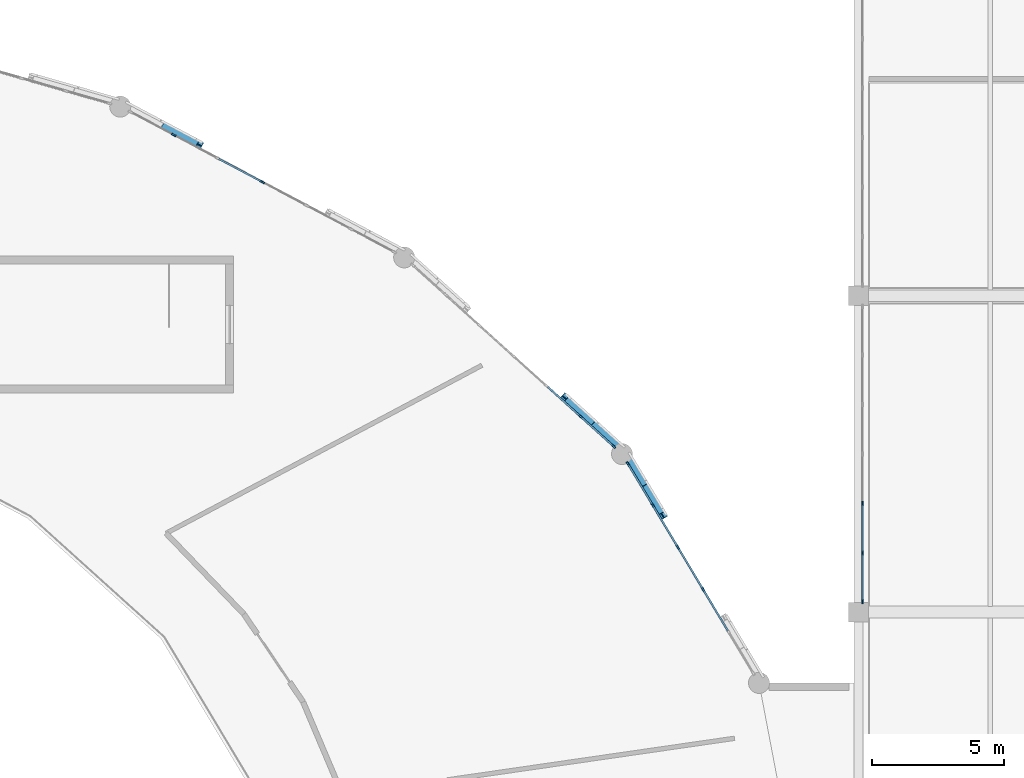
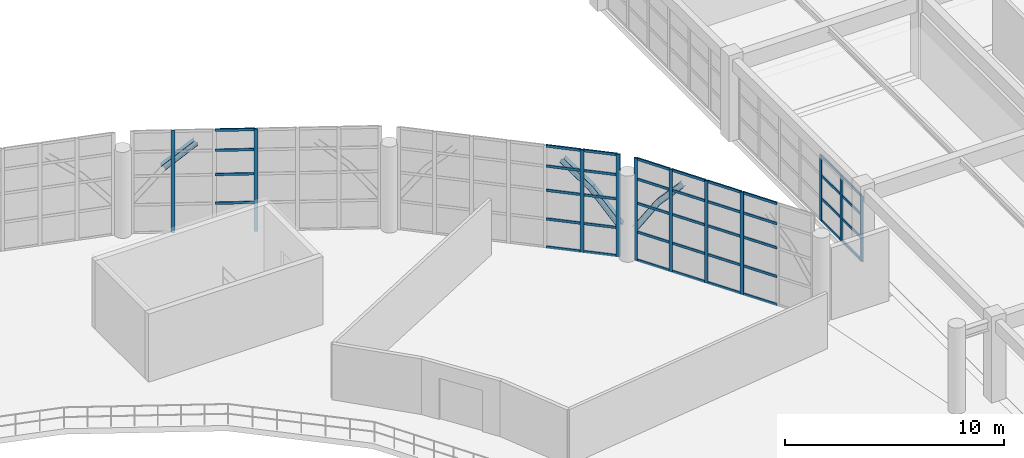
# One storey, part 45 of 109: 53 members, 5 beams, 4 elements without a shape of their own.
"""IFC4 building model written with IfcOpenShell, lengths in metres."""

from ifc_helpers import new_model, si_unit, direction, frame, origin, origin_2d, place, context, subcontext, project, spatial, rectangle, i_section, extrude, material, layer, layer_set, material_profile, profile_set, type_object, element, aggregate, save


model = new_model("IFC4")

# Units and contexts
model_context = context("Model", 3, precision=1e-05, world=origin(), true_north=direction((0.0, 1.0)))
body_context = subcontext(model_context, "Body", "Model", "MODEL_VIEW")
ifc_project = project(units=[si_unit("LENGTHUNIT", "METRE"), si_unit("AREAUNIT", "SQUARE_METRE"), si_unit("VOLUMEUNIT", "CUBIC_METRE"), si_unit("PLANEANGLEUNIT", "RADIAN"), si_unit("MASSUNIT", "GRAM", prefix="KILO")], contexts=[model_context])

# Site, building, storey
site_placement = place(None, origin())
site = spatial("IfcSite", under=ifc_project, at=site_placement, CompositionType="ELEMENT")
building_placement = place(site_placement, origin())
building = spatial("IfcBuilding", under=site, at=building_placement, Name="Kivolera Central Railway Station", CompositionType="ELEMENT")
storey_placement = place(building_placement, frame((0.0, 0.0, 9.60009765625)))
storey = spatial("IfcBuildingStorey", under=building, at=storey_placement, Name="L02", CompositionType="ELEMENT", Elevation=9.60009765625)

# Beams
ifc_material_1 = material(Name="Steel S355", Category="steel")
ifc_material_profile_1 = material_profile(ifc_material_1, i_section(OverallWidth=0.300048828125, OverallDepth=0.300048828125, WebThickness=0.010986328125, FlangeThickness=0.01904296875, FilletRadius=0.027099609375, at=origin_2d()), Name="HEB 300")
ifc_profile_set_1 = profile_set([ifc_material_profile_1], Name="Steel S355")
beam_type = type_object("IfcBeamType", Name="BM-LANT-ARCH", PredefinedType="SPANDREL", material=ifc_profile_set_1)
beam_1_placement = place(storey_placement, frame((110.573974609375, 105.657958984375, 4.9599609375), z_axis=(-0.343344267824, 0.573619875132, -0.743690091776), x_axis=(-0.858038634745, -0.513585145116, 0.0)))
element("IfcBeam", 1, at=beam_1_placement, inside=storey, type_object=beam_type, Name="Oval Lantern Structural Arch Rib 02.5", PredefinedType="SPANDREL", context=body_context, shape_type="SweptSolid", body=[
    extrude(i_section(OverallWidth=0.300048828125, OverallDepth=0.300048828125, WebThickness=0.010986328125, FlangeThickness=0.01904296875, FilletRadius=0.027099609375, at=origin_2d()), origin(), (0.0, 0.0, 1.0), 1.828857421875),
])
beam_2_placement = place(storey_placement, frame((109.946044921875, 106.70703125, 3.599853515625), z_axis=(-0.277874179709, 0.464672179987, -0.840753058512), x_axis=(-0.858249099835, -0.513233360794, 0.0)))
element("IfcBeam", 2, at=beam_2_placement, inside=storey, type_object=beam_type, Name="Oval Lantern Structural Arch Rib 02.6", PredefinedType="SPANDREL", context=body_context, shape_type="SweptSolid", body=[
    extrude(i_section(OverallWidth=0.300048828125, OverallDepth=0.300048828125, WebThickness=0.010986328125, FlangeThickness=0.01904296875, FilletRadius=0.027099609375, at=origin_2d()), origin(), (0.0, 0.0, 1.0), 2.259765625),
])
beam_3_placement = place(storey_placement, frame((108.85009765625, 108.326904296875, 1.699951171875), z_axis=(-0.431185404632, 0.388705114828, 0.814240431653), x_axis=(-0.669571929078, -0.742747219309, 0.0)))
element("IfcBeam", 3, at=beam_3_placement, inside=storey, type_object=beam_type, Name="Oval Lantern Structural Arch Rib 03.1", PredefinedType="SPANDREL", context=body_context, shape_type="SweptSolid", body=[
    extrude(i_section(OverallWidth=0.300048828125, OverallDepth=0.300048828125, WebThickness=0.010986328125, FlangeThickness=0.01904296875, FilletRadius=0.027099609375, at=origin_2d()), origin(), (0.0, 0.0, 1.0), 2.333251953125),
])
beam_4_placement = place(storey_placement, frame((107.843994140625, 109.23388671875, 3.599853515625), z_axis=(-0.52351035726, 0.473143471576, 0.708570505417), x_axis=(-0.670516775803, -0.741894368065, 0.0)))
element("IfcBeam", 4, at=beam_4_placement, inside=storey, type_object=beam_type, Name="Oval Lantern Structural Arch Rib 03.2", PredefinedType="SPANDREL", context=body_context, shape_type="SweptSolid", body=[
    extrude(i_section(OverallWidth=0.300048828125, OverallDepth=0.300048828125, WebThickness=0.010986328125, FlangeThickness=0.01904296875, FilletRadius=0.027099609375, at=origin_2d()), origin(), (0.0, 0.0, 1.0), 1.91943359375),
])
beam_5_placement = place(storey_placement, frame((93.007080078125, 119.716064453125, 4.9599609375), z_axis=(-0.65306159566, 0.346534813022, -0.673367786308), x_axis=(-0.468728824497, -0.883342113275, 0.0)))
element("IfcBeam", 5, at=beam_5_placement, inside=storey, type_object=beam_type, Name="Oval Lantern Structural Arch Rib 04.5", PredefinedType="SPANDREL", context=body_context, shape_type="SweptSolid", body=[
    extrude(i_section(OverallWidth=0.300048828125, OverallDepth=0.300048828125, WebThickness=0.010986328125, FlangeThickness=0.01904296875, FilletRadius=0.027099609375, at=origin_2d()), origin(), (0.0, 0.0, 1.0), 2.019775390625),
])

# Curtain wall, members
ifc_material_2 = material(Name="Anodised aluminium", Category="aluminium")
ifc_layer_1 = layer(ifc_material_2, 0.179931640625, Name="Anodised aluminium")
ifc_layer_set_1 = layer_set([ifc_layer_1], Name="Anodised aluminium")
curtain_wall_type_1 = type_object("IfcCurtainWallType", Name="CW-SYS-03", PredefinedType="NOTDEFINED", material=ifc_layer_set_1)
curtain_wall_1_placement = place(storey_placement, origin())
curtain_wall_1 = element("IfcCurtainWall", 6, at=curtain_wall_1_placement, inside=storey, type_object=curtain_wall_type_1, Name="L02 Curtain Wall CW-L02-OVL-01", PredefinedType="NOTDEFINED")
ifc_material_profile_2 = material_profile(ifc_material_2, rectangle(XDim=0.070068359375, YDim=0.179931640625, at=origin_2d()), Name="ALU MULL 70x180")
ifc_profile_set_2 = profile_set([ifc_material_profile_2], Name="Anodised aluminium")
member_type_1 = type_object("IfcMemberType", Name="CWM-MUL-1", PredefinedType="MULLION", material=ifc_profile_set_2)
member_1_placement = place(storey_placement, frame((109.255859375, 107.626953125, -0.005126953125), z_axis=(0.0, 0.0, 1.0), x_axis=(0.858117186396, 0.513453887327, 0.0)))
member_1 = element("IfcMember", 7, at=member_1_placement, type_object=member_type_1, Name="CW-03 mullion 1", PredefinedType="MULLION", context=body_context, shape_type="SweptSolid", body=[
    extrude(rectangle(XDim=0.070068359375, YDim=0.179931640625, at=origin_2d()), origin(), (0.0, 0.0, 1.0), 5.705078125),
])
member_2_placement = place(storey_placement, frame((110.195068359375, 106.0576171875, -0.005126953125), z_axis=(0.0, 0.0, 1.0), x_axis=(0.858117186396, 0.513453887327, 0.0)))
member_2 = element("IfcMember", 8, at=member_2_placement, type_object=member_type_1, Name="CW-03 mullion 2", PredefinedType="MULLION", context=body_context, shape_type="SweptSolid", body=[
    extrude(rectangle(XDim=0.070068359375, YDim=0.179931640625, at=origin_2d()), origin(), (0.0, 0.0, 1.0), 5.705078125),
])
member_3_placement = place(storey_placement, frame((111.152099609375, 104.458251953125, -0.005126953125), z_axis=(0.0, 0.0, 1.0), x_axis=(0.858117186396, 0.513453887327, 0.0)))
member_3 = element("IfcMember", 9, at=member_3_placement, type_object=member_type_1, Name="CW-03 mullion 3", PredefinedType="MULLION", context=body_context, shape_type="SweptSolid", body=[
    extrude(rectangle(XDim=0.070068359375, YDim=0.179931640625, at=origin_2d()), origin(), (0.0, 0.0, 1.0), 5.705078125),
])
member_4_placement = place(storey_placement, frame((112.10888671875, 102.85888671875, -0.005126953125), z_axis=(0.0, 0.0, 1.0), x_axis=(0.858117186396, 0.513453887327, 0.0)))
member_4 = element("IfcMember", 10, at=member_4_placement, type_object=member_type_1, Name="CW-03 mullion 4", PredefinedType="MULLION", context=body_context, shape_type="SweptSolid", body=[
    extrude(rectangle(XDim=0.070068359375, YDim=0.179931640625, at=origin_2d()), origin(), (0.0, 0.0, 1.0), 5.705078125),
])

ifc_layer_2 = layer(ifc_material_2, 0.179931640625, Name="Anodised aluminium")
ifc_layer_set_2 = layer_set([ifc_layer_2], Name="Anodised aluminium")
curtain_wall_type_2 = type_object("IfcCurtainWallType", Name="CW-SYS-06", PredefinedType="NOTDEFINED", material=ifc_layer_set_2)
curtain_wall_2_placement = place(storey_placement, origin())
curtain_wall_2 = element("IfcCurtainWall", 11, at=curtain_wall_2_placement, inside=storey, type_object=curtain_wall_type_2, Name="L02 Curtain Wall CW-L02-OVL-02", PredefinedType="NOTDEFINED")
member_5_placement = place(storey_placement, frame((107.457763671875, 109.42138671875, -0.005126953125), z_axis=(0.0, 0.0, 1.0), x_axis=(0.66992157428, 0.742431871833, 0.0)))
member_5 = element("IfcMember", 12, at=member_5_placement, type_object=member_type_1, Name="CW-06 mullion 6", PredefinedType="MULLION", context=body_context, shape_type="SweptSolid", body=[
    extrude(rectangle(XDim=0.070068359375, YDim=0.179931640625, at=origin_2d()), origin(), (0.0, 0.0, 1.0), 5.705078125),
])
member_6_placement = place(storey_placement, frame((108.7099609375, 108.29150390625, -0.005126953125), z_axis=(0.0, 0.0, 1.0), x_axis=(0.66992157428, 0.742431871833, 0.0)))
member_6 = element("IfcMember", 13, at=member_6_placement, type_object=member_type_1, Name="CW-06 mullion 7", PredefinedType="MULLION", context=body_context, shape_type="SweptSolid", body=[
    extrude(rectangle(XDim=0.070068359375, YDim=0.179931640625, at=origin_2d()), origin(), (0.0, 0.0, 1.0), 5.705078125),
])

ifc_layer_3 = layer(ifc_material_2, 0.179931640625, Name="Anodised aluminium")
ifc_layer_set_3 = layer_set([ifc_layer_3], Name="Anodised aluminium")
curtain_wall_type_3 = type_object("IfcCurtainWallType", Name="CW-SYS-09", PredefinedType="NOTDEFINED", material=ifc_layer_set_3)
curtain_wall_3_placement = place(storey_placement, origin())
curtain_wall_3 = element("IfcCurtainWall", 14, at=curtain_wall_3_placement, inside=storey, type_object=curtain_wall_type_3, Name="L02 Curtain Wall CW-L02-OVL-03", PredefinedType="NOTDEFINED")
member_7_placement = place(storey_placement, frame((92.0302734375, 120.09814453125, -0.005126953125), z_axis=(0.0, 0.0, 1.0), x_axis=(0.469052563023, 0.883170251493, 0.0)))
member_7 = element("IfcMember", 15, at=member_7_placement, type_object=member_type_1, Name="CW-09 mullion 2", PredefinedType="MULLION", context=body_context, shape_type="SweptSolid", body=[
    extrude(rectangle(XDim=0.070068359375, YDim=0.179931640625, at=origin_2d()), origin(), (0.0, 0.0, 1.0), 5.705078125),
])
member_8_placement = place(storey_placement, frame((95.385009765625, 118.31640625, -0.005126953125), z_axis=(0.0, 0.0, 1.0), x_axis=(0.469052563023, 0.883170251493, 0.0)))
member_8 = element("IfcMember", 16, at=member_8_placement, type_object=member_type_1, Name="CW-09 mullion 4", PredefinedType="MULLION", context=body_context, shape_type="SweptSolid", body=[
    extrude(rectangle(XDim=0.070068359375, YDim=0.179931640625, at=origin_2d()), origin(), (0.0, 0.0, 1.0), 5.705078125),
])

ifc_layer_4 = layer(ifc_material_2, 0.179931640625, Name="Anodised aluminium")
ifc_layer_set_4 = layer_set([ifc_layer_4], Name="Anodised aluminium")
curtain_wall_type_4 = type_object("IfcCurtainWallType", Name="CW-SYS-28", PredefinedType="NOTDEFINED", material=ifc_layer_set_4)
curtain_wall_4_placement = place(storey_placement, origin())
curtain_wall_4 = element("IfcCurtainWall", 17, at=curtain_wall_4_placement, inside=storey, type_object=curtain_wall_type_4, Name="L02 Curtain Wall CW-L02-WEST-J", PredefinedType="NOTDEFINED")
member_9_placement = place(storey_placement, frame((118.153076171875, 102.405029296875, -0.005126953125), z_axis=(0.0, 0.0, 1.0), x_axis=(-1.0, 0.0, 0.0)))
member_9 = element("IfcMember", 18, at=member_9_placement, type_object=member_type_1, Name="CW-28 mullion 1", PredefinedType="MULLION", context=body_context, shape_type="SweptSolid", body=[
    extrude(rectangle(XDim=0.070068359375, YDim=0.179931640625, at=origin_2d()), origin(), (0.0, 0.0, 1.0), 3.6630859375),
])
member_10_placement = place(storey_placement, frame((118.153076171875, 104.24658203125, -0.005126953125), z_axis=(0.0, 0.0, 1.0), x_axis=(-1.0, 0.0, 0.0)))
member_10 = element("IfcMember", 19, at=member_10_placement, type_object=member_type_1, Name="CW-28 mullion 2", PredefinedType="MULLION", context=body_context, shape_type="SweptSolid", body=[
    extrude(rectangle(XDim=0.070068359375, YDim=0.179931640625, at=origin_2d()), origin(), (0.0, 0.0, 1.0), 3.6630859375),
])
member_11_placement = place(storey_placement, frame((118.153076171875, 106.123291015625, -0.005126953125), z_axis=(0.0, 0.0, 1.0), x_axis=(-1.0, 0.0, 0.0)))
member_11 = element("IfcMember", 20, at=member_11_placement, type_object=member_type_1, Name="CW-28 mullion 3", PredefinedType="MULLION", context=body_context, shape_type="SweptSolid", body=[
    extrude(rectangle(XDim=0.070068359375, YDim=0.179931640625, at=origin_2d()), origin(), (0.0, 0.0, 1.0), 3.6630859375),
])

# Member
ifc_material_profile_3 = material_profile(ifc_material_2, rectangle(XDim=0.070068359375, YDim=0.139892578125, at=origin_2d()), Name="ALU TRAN 70x140")
ifc_profile_set_3 = profile_set([ifc_material_profile_3], Name="Anodised aluminium")
member_type_2 = type_object("IfcMemberType", Name="CWM-TRN-1", PredefinedType="USERDEFINED", material=ifc_profile_set_3)
member_12_placement = place(storey_placement, frame((109.27392578125, 107.596923828125, 0.034912109375), z_axis=(0.513454309114, -0.85811693402, 0.0), x_axis=(0.85811693402, 0.513454309114, 0.0)))
member_12 = element("IfcMember", 21, at=member_12_placement, type_object=member_type_2, Name="CW-03 transom 1.1", ObjectType="TRANSOM", PredefinedType="USERDEFINED", context=body_context, shape_type="SweptSolid", body=[
    extrude(rectangle(XDim=0.070068359375, YDim=0.139892578125, at=origin_2d()), origin(), (0.0, 0.0, 1.0), 1.7587890625),
])

member_13_placement = place(storey_placement, frame((109.27392578125, 107.596923828125, 1.599853515625), z_axis=(0.513454309114, -0.85811693402, 0.0), x_axis=(0.85811693402, 0.513454309114, 0.0)))
member_13 = element("IfcMember", 22, at=member_13_placement, type_object=member_type_2, Name="CW-03 transom 1.2", ObjectType="TRANSOM", PredefinedType="USERDEFINED", context=body_context, shape_type="SweptSolid", body=[
    extrude(rectangle(XDim=0.070068359375, YDim=0.139892578125, at=origin_2d()), origin(), (0.0, 0.0, 1.0), 1.7587890625),
])

member_14_placement = place(storey_placement, frame((109.27392578125, 107.596923828125, 3.199951171875), z_axis=(0.513454309114, -0.85811693402, 0.0), x_axis=(0.85811693402, 0.513454309114, 0.0)))
member_14 = element("IfcMember", 23, at=member_14_placement, type_object=member_type_2, Name="CW-03 transom 1.3", ObjectType="TRANSOM", PredefinedType="USERDEFINED", context=body_context, shape_type="SweptSolid", body=[
    extrude(rectangle(XDim=0.070068359375, YDim=0.139892578125, at=origin_2d()), origin(), (0.0, 0.0, 1.0), 1.7587890625),
])

member_15_placement = place(storey_placement, frame((109.27392578125, 107.596923828125, 4.5498046875), z_axis=(0.513454309114, -0.85811693402, 0.0), x_axis=(0.85811693402, 0.513454309114, 0.0)))
member_15 = element("IfcMember", 24, at=member_15_placement, type_object=member_type_2, Name="CW-03 transom 1.4", ObjectType="TRANSOM", PredefinedType="USERDEFINED", context=body_context, shape_type="SweptSolid", body=[
    extrude(rectangle(XDim=0.070068359375, YDim=0.139892578125, at=origin_2d()), origin(), (0.0, 0.0, 1.0), 1.7587890625),
])

member_16_placement = place(storey_placement, frame((109.27392578125, 107.596923828125, 5.664794921875), z_axis=(0.513454309114, -0.85811693402, 0.0), x_axis=(0.85811693402, 0.513454309114, 0.0)))
member_16 = element("IfcMember", 25, at=member_16_placement, type_object=member_type_2, Name="CW-03 transom 1.5", ObjectType="TRANSOM", PredefinedType="USERDEFINED", context=body_context, shape_type="SweptSolid", body=[
    extrude(rectangle(XDim=0.070068359375, YDim=0.139892578125, at=origin_2d()), origin(), (0.0, 0.0, 1.0), 1.7587890625),
])

member_17_placement = place(storey_placement, frame((110.212890625, 106.027587890625, 0.034912109375), z_axis=(0.513494690452, -0.858092770554, 0.0), x_axis=(0.858092770554, 0.513494690452, 0.0)))
member_17 = element("IfcMember", 26, at=member_17_placement, type_object=member_type_2, Name="CW-03 transom 2.1", ObjectType="TRANSOM", PredefinedType="USERDEFINED", context=body_context, shape_type="SweptSolid", body=[
    extrude(rectangle(XDim=0.070068359375, YDim=0.139892578125, at=origin_2d()), origin(), (0.0, 0.0, 1.0), 1.7939453125),
])

member_18_placement = place(storey_placement, frame((110.212890625, 106.027587890625, 1.599853515625), z_axis=(0.513494690452, -0.858092770554, 0.0), x_axis=(0.858092770554, 0.513494690452, 0.0)))
member_18 = element("IfcMember", 27, at=member_18_placement, type_object=member_type_2, Name="CW-03 transom 2.2", ObjectType="TRANSOM", PredefinedType="USERDEFINED", context=body_context, shape_type="SweptSolid", body=[
    extrude(rectangle(XDim=0.070068359375, YDim=0.139892578125, at=origin_2d()), origin(), (0.0, 0.0, 1.0), 1.7939453125),
])

member_19_placement = place(storey_placement, frame((110.212890625, 106.027587890625, 3.199951171875), z_axis=(0.513494690452, -0.858092770554, 0.0), x_axis=(0.858092770554, 0.513494690452, 0.0)))
member_19 = element("IfcMember", 28, at=member_19_placement, type_object=member_type_2, Name="CW-03 transom 2.3", ObjectType="TRANSOM", PredefinedType="USERDEFINED", context=body_context, shape_type="SweptSolid", body=[
    extrude(rectangle(XDim=0.070068359375, YDim=0.139892578125, at=origin_2d()), origin(), (0.0, 0.0, 1.0), 1.7939453125),
])

member_20_placement = place(storey_placement, frame((110.212890625, 106.027587890625, 4.5498046875), z_axis=(0.513494690452, -0.858092770554, 0.0), x_axis=(0.858092770554, 0.513494690452, 0.0)))
member_20 = element("IfcMember", 29, at=member_20_placement, type_object=member_type_2, Name="CW-03 transom 2.4", ObjectType="TRANSOM", PredefinedType="USERDEFINED", context=body_context, shape_type="SweptSolid", body=[
    extrude(rectangle(XDim=0.070068359375, YDim=0.139892578125, at=origin_2d()), origin(), (0.0, 0.0, 1.0), 1.7939453125),
])

member_21_placement = place(storey_placement, frame((110.212890625, 106.027587890625, 5.664794921875), z_axis=(0.513494690452, -0.858092770554, 0.0), x_axis=(0.858092770554, 0.513494690452, 0.0)))
member_21 = element("IfcMember", 30, at=member_21_placement, type_object=member_type_2, Name="CW-03 transom 2.5", ObjectType="TRANSOM", PredefinedType="USERDEFINED", context=body_context, shape_type="SweptSolid", body=[
    extrude(rectangle(XDim=0.070068359375, YDim=0.139892578125, at=origin_2d()), origin(), (0.0, 0.0, 1.0), 1.7939453125),
])

member_22_placement = place(storey_placement, frame((111.169921875, 104.42822265625, 0.034912109375), z_axis=(0.513494690452, -0.858092770554, 0.0), x_axis=(0.858092770554, 0.513494690452, 0.0)))
member_22 = element("IfcMember", 31, at=member_22_placement, type_object=member_type_2, Name="CW-03 transom 3.1", ObjectType="TRANSOM", PredefinedType="USERDEFINED", context=body_context, shape_type="SweptSolid", body=[
    extrude(rectangle(XDim=0.070068359375, YDim=0.139892578125, at=origin_2d()), origin(), (0.0, 0.0, 1.0), 1.7939453125),
])

member_23_placement = place(storey_placement, frame((111.169921875, 104.42822265625, 1.599853515625), z_axis=(0.513494690452, -0.858092770554, 0.0), x_axis=(0.858092770554, 0.513494690452, 0.0)))
member_23 = element("IfcMember", 32, at=member_23_placement, type_object=member_type_2, Name="CW-03 transom 3.2", ObjectType="TRANSOM", PredefinedType="USERDEFINED", context=body_context, shape_type="SweptSolid", body=[
    extrude(rectangle(XDim=0.070068359375, YDim=0.139892578125, at=origin_2d()), origin(), (0.0, 0.0, 1.0), 1.7939453125),
])

member_24_placement = place(storey_placement, frame((111.169921875, 104.42822265625, 3.199951171875), z_axis=(0.513494690452, -0.858092770554, 0.0), x_axis=(0.858092770554, 0.513494690452, 0.0)))
member_24 = element("IfcMember", 33, at=member_24_placement, type_object=member_type_2, Name="CW-03 transom 3.3", ObjectType="TRANSOM", PredefinedType="USERDEFINED", context=body_context, shape_type="SweptSolid", body=[
    extrude(rectangle(XDim=0.070068359375, YDim=0.139892578125, at=origin_2d()), origin(), (0.0, 0.0, 1.0), 1.7939453125),
])

member_25_placement = place(storey_placement, frame((111.169921875, 104.42822265625, 4.5498046875), z_axis=(0.513494690452, -0.858092770554, 0.0), x_axis=(0.858092770554, 0.513494690452, 0.0)))
member_25 = element("IfcMember", 34, at=member_25_placement, type_object=member_type_2, Name="CW-03 transom 3.4", ObjectType="TRANSOM", PredefinedType="USERDEFINED", context=body_context, shape_type="SweptSolid", body=[
    extrude(rectangle(XDim=0.070068359375, YDim=0.139892578125, at=origin_2d()), origin(), (0.0, 0.0, 1.0), 1.7939453125),
])

member_26_placement = place(storey_placement, frame((111.169921875, 104.42822265625, 5.664794921875), z_axis=(0.513494690452, -0.858092770554, 0.0), x_axis=(0.858092770554, 0.513494690452, 0.0)))
member_26 = element("IfcMember", 35, at=member_26_placement, type_object=member_type_2, Name="CW-03 transom 3.5", ObjectType="TRANSOM", PredefinedType="USERDEFINED", context=body_context, shape_type="SweptSolid", body=[
    extrude(rectangle(XDim=0.070068359375, YDim=0.139892578125, at=origin_2d()), origin(), (0.0, 0.0, 1.0), 1.7939453125),
])

member_27_placement = place(storey_placement, frame((112.126953125, 102.828857421875, 0.034912109375), z_axis=(0.513494690452, -0.858092770554, 0.0), x_axis=(0.858092770554, 0.513494690452, 0.0)))
member_27 = element("IfcMember", 36, at=member_27_placement, type_object=member_type_2, Name="CW-03 transom 4.1", ObjectType="TRANSOM", PredefinedType="USERDEFINED", context=body_context, shape_type="SweptSolid", body=[
    extrude(rectangle(XDim=0.070068359375, YDim=0.139892578125, at=origin_2d()), origin(), (0.0, 0.0, 1.0), 1.7939453125),
])

member_28_placement = place(storey_placement, frame((112.126953125, 102.828857421875, 1.599853515625), z_axis=(0.513494690452, -0.858092770554, 0.0), x_axis=(0.858092770554, 0.513494690452, 0.0)))
member_28 = element("IfcMember", 37, at=member_28_placement, type_object=member_type_2, Name="CW-03 transom 4.2", ObjectType="TRANSOM", PredefinedType="USERDEFINED", context=body_context, shape_type="SweptSolid", body=[
    extrude(rectangle(XDim=0.070068359375, YDim=0.139892578125, at=origin_2d()), origin(), (0.0, 0.0, 1.0), 1.7939453125),
])

member_29_placement = place(storey_placement, frame((112.126953125, 102.828857421875, 3.199951171875), z_axis=(0.513494690452, -0.858092770554, 0.0), x_axis=(0.858092770554, 0.513494690452, 0.0)))
member_29 = element("IfcMember", 38, at=member_29_placement, type_object=member_type_2, Name="CW-03 transom 4.3", ObjectType="TRANSOM", PredefinedType="USERDEFINED", context=body_context, shape_type="SweptSolid", body=[
    extrude(rectangle(XDim=0.070068359375, YDim=0.139892578125, at=origin_2d()), origin(), (0.0, 0.0, 1.0), 1.7939453125),
])

member_30_placement = place(storey_placement, frame((112.126953125, 102.828857421875, 4.5498046875), z_axis=(0.513494690452, -0.858092770554, 0.0), x_axis=(0.858092770554, 0.513494690452, 0.0)))
member_30 = element("IfcMember", 39, at=member_30_placement, type_object=member_type_2, Name="CW-03 transom 4.4", ObjectType="TRANSOM", PredefinedType="USERDEFINED", context=body_context, shape_type="SweptSolid", body=[
    extrude(rectangle(XDim=0.070068359375, YDim=0.139892578125, at=origin_2d()), origin(), (0.0, 0.0, 1.0), 1.7939453125),
])

member_31_placement = place(storey_placement, frame((112.126953125, 102.828857421875, 5.664794921875), z_axis=(0.513494690452, -0.858092770554, 0.0), x_axis=(0.858092770554, 0.513494690452, 0.0)))
member_31 = element("IfcMember", 40, at=member_31_placement, type_object=member_type_2, Name="CW-03 transom 4.5", ObjectType="TRANSOM", PredefinedType="USERDEFINED", context=body_context, shape_type="SweptSolid", body=[
    extrude(rectangle(XDim=0.070068359375, YDim=0.139892578125, at=origin_2d()), origin(), (0.0, 0.0, 1.0), 1.7939453125),
])

aggregate(curtain_wall_1, [member_1, member_2, member_3, member_4, member_12, member_13, member_14, member_15, member_16, member_17, member_18, member_19, member_20, member_21, member_22, member_23, member_24, member_25, member_26, member_27, member_28, member_29, member_30, member_31])

member_32_placement = place(storey_placement, frame((106.20556640625, 110.55126953125, 0.034912109375), z_axis=(0.74246304586, -0.669887024455, 0.0), x_axis=(0.669887024455, 0.74246304586, 0.0)))
member_32 = element("IfcMember", 41, at=member_32_placement, type_object=member_type_2, Name="CW-06 transom 5.1", ObjectType="TRANSOM", PredefinedType="USERDEFINED", context=body_context, shape_type="SweptSolid", body=[
    extrude(rectangle(XDim=0.070068359375, YDim=0.139892578125, at=origin_2d()), origin(), (0.0, 0.0, 1.0), 1.651611328125),
])

member_33_placement = place(storey_placement, frame((106.20556640625, 110.55126953125, 1.599853515625), z_axis=(0.74246304586, -0.669887024455, 0.0), x_axis=(0.669887024455, 0.74246304586, 0.0)))
member_33 = element("IfcMember", 42, at=member_33_placement, type_object=member_type_2, Name="CW-06 transom 5.2", ObjectType="TRANSOM", PredefinedType="USERDEFINED", context=body_context, shape_type="SweptSolid", body=[
    extrude(rectangle(XDim=0.070068359375, YDim=0.139892578125, at=origin_2d()), origin(), (0.0, 0.0, 1.0), 1.651611328125),
])

member_34_placement = place(storey_placement, frame((106.20556640625, 110.55126953125, 3.199951171875), z_axis=(0.74246304586, -0.669887024455, 0.0), x_axis=(0.669887024455, 0.74246304586, 0.0)))
member_34 = element("IfcMember", 43, at=member_34_placement, type_object=member_type_2, Name="CW-06 transom 5.3", ObjectType="TRANSOM", PredefinedType="USERDEFINED", context=body_context, shape_type="SweptSolid", body=[
    extrude(rectangle(XDim=0.070068359375, YDim=0.139892578125, at=origin_2d()), origin(), (0.0, 0.0, 1.0), 1.651611328125),
])

member_35_placement = place(storey_placement, frame((106.20556640625, 110.55126953125, 4.5498046875), z_axis=(0.74246304586, -0.669887024455, 0.0), x_axis=(0.669887024455, 0.74246304586, 0.0)))
member_35 = element("IfcMember", 44, at=member_35_placement, type_object=member_type_2, Name="CW-06 transom 5.4", ObjectType="TRANSOM", PredefinedType="USERDEFINED", context=body_context, shape_type="SweptSolid", body=[
    extrude(rectangle(XDim=0.070068359375, YDim=0.139892578125, at=origin_2d()), origin(), (0.0, 0.0, 1.0), 1.651611328125),
])

member_36_placement = place(storey_placement, frame((106.20556640625, 110.55126953125, 5.664794921875), z_axis=(0.74246304586, -0.669887024455, 0.0), x_axis=(0.669887024455, 0.74246304586, 0.0)))
member_36 = element("IfcMember", 45, at=member_36_placement, type_object=member_type_2, Name="CW-06 transom 5.5", ObjectType="TRANSOM", PredefinedType="USERDEFINED", context=body_context, shape_type="SweptSolid", body=[
    extrude(rectangle(XDim=0.070068359375, YDim=0.139892578125, at=origin_2d()), origin(), (0.0, 0.0, 1.0), 1.651611328125),
])

member_37_placement = place(storey_placement, frame((107.48388671875, 109.39794921875, 0.034912109375), z_axis=(0.742422429893, -0.66993203804, 0.0), x_axis=(0.66993203804, 0.742422429893, 0.0)))
member_37 = element("IfcMember", 46, at=member_37_placement, type_object=member_type_2, Name="CW-06 transom 6.1", ObjectType="TRANSOM", PredefinedType="USERDEFINED", context=body_context, shape_type="SweptSolid", body=[
    extrude(rectangle(XDim=0.070068359375, YDim=0.139892578125, at=origin_2d()), origin(), (0.0, 0.0, 1.0), 1.61669921875),
])

member_38_placement = place(storey_placement, frame((107.48388671875, 109.39794921875, 1.599853515625), z_axis=(0.742422429893, -0.66993203804, 0.0), x_axis=(0.66993203804, 0.742422429893, 0.0)))
member_38 = element("IfcMember", 47, at=member_38_placement, type_object=member_type_2, Name="CW-06 transom 6.2", ObjectType="TRANSOM", PredefinedType="USERDEFINED", context=body_context, shape_type="SweptSolid", body=[
    extrude(rectangle(XDim=0.070068359375, YDim=0.139892578125, at=origin_2d()), origin(), (0.0, 0.0, 1.0), 1.61669921875),
])

member_39_placement = place(storey_placement, frame((107.48388671875, 109.39794921875, 3.199951171875), z_axis=(0.742422429893, -0.66993203804, 0.0), x_axis=(0.66993203804, 0.742422429893, 0.0)))
member_39 = element("IfcMember", 48, at=member_39_placement, type_object=member_type_2, Name="CW-06 transom 6.3", ObjectType="TRANSOM", PredefinedType="USERDEFINED", context=body_context, shape_type="SweptSolid", body=[
    extrude(rectangle(XDim=0.070068359375, YDim=0.139892578125, at=origin_2d()), origin(), (0.0, 0.0, 1.0), 1.61669921875),
])

member_40_placement = place(storey_placement, frame((107.48388671875, 109.39794921875, 4.5498046875), z_axis=(0.742422429893, -0.66993203804, 0.0), x_axis=(0.66993203804, 0.742422429893, 0.0)))
member_40 = element("IfcMember", 49, at=member_40_placement, type_object=member_type_2, Name="CW-06 transom 6.4", ObjectType="TRANSOM", PredefinedType="USERDEFINED", context=body_context, shape_type="SweptSolid", body=[
    extrude(rectangle(XDim=0.070068359375, YDim=0.139892578125, at=origin_2d()), origin(), (0.0, 0.0, 1.0), 1.61669921875),
])

member_41_placement = place(storey_placement, frame((107.48388671875, 109.39794921875, 5.664794921875), z_axis=(0.742422429893, -0.66993203804, 0.0), x_axis=(0.66993203804, 0.742422429893, 0.0)))
member_41 = element("IfcMember", 50, at=member_41_placement, type_object=member_type_2, Name="CW-06 transom 6.5", ObjectType="TRANSOM", PredefinedType="USERDEFINED", context=body_context, shape_type="SweptSolid", body=[
    extrude(rectangle(XDim=0.070068359375, YDim=0.139892578125, at=origin_2d()), origin(), (0.0, 0.0, 1.0), 1.61669921875),
])

aggregate(curtain_wall_2, [member_5, member_6, member_32, member_33, member_34, member_35, member_36, member_37, member_38, member_39, member_40, member_41])

member_42_placement = place(storey_placement, frame((93.738525390625, 119.19091796875, 1.599853515625), z_axis=(0.88318656257, -0.469021849913, 0.0), x_axis=(0.469021849913, 0.88318656257, 0.0)))
member_42 = element("IfcMember", 51, at=member_42_placement, type_object=member_type_2, Name="CW-09 transom 3.2", ObjectType="TRANSOM", PredefinedType="USERDEFINED", context=body_context, shape_type="SweptSolid", body=[
    extrude(rectangle(XDim=0.070068359375, YDim=0.139892578125, at=origin_2d()), origin(), (0.0, 0.0, 1.0), 1.8291015625),
])

member_43_placement = place(storey_placement, frame((93.738525390625, 119.19091796875, 3.199951171875), z_axis=(0.88318656257, -0.469021849913, 0.0), x_axis=(0.469021849913, 0.88318656257, 0.0)))
member_43 = element("IfcMember", 52, at=member_43_placement, type_object=member_type_2, Name="CW-09 transom 3.3", ObjectType="TRANSOM", PredefinedType="USERDEFINED", context=body_context, shape_type="SweptSolid", body=[
    extrude(rectangle(XDim=0.070068359375, YDim=0.139892578125, at=origin_2d()), origin(), (0.0, 0.0, 1.0), 1.8291015625),
])

member_44_placement = place(storey_placement, frame((93.738525390625, 119.19091796875, 4.5498046875), z_axis=(0.88318656257, -0.469021849913, 0.0), x_axis=(0.469021849913, 0.88318656257, 0.0)))
member_44 = element("IfcMember", 53, at=member_44_placement, type_object=member_type_2, Name="CW-09 transom 3.4", ObjectType="TRANSOM", PredefinedType="USERDEFINED", context=body_context, shape_type="SweptSolid", body=[
    extrude(rectangle(XDim=0.070068359375, YDim=0.139892578125, at=origin_2d()), origin(), (0.0, 0.0, 1.0), 1.8291015625),
])

member_45_placement = place(storey_placement, frame((93.738525390625, 119.19091796875, 5.664794921875), z_axis=(0.88318656257, -0.469021849913, 0.0), x_axis=(0.469021849913, 0.88318656257, 0.0)))
member_45 = element("IfcMember", 54, at=member_45_placement, type_object=member_type_2, Name="CW-09 transom 3.5", ObjectType="TRANSOM", PredefinedType="USERDEFINED", context=body_context, shape_type="SweptSolid", body=[
    extrude(rectangle(XDim=0.070068359375, YDim=0.139892578125, at=origin_2d()), origin(), (0.0, 0.0, 1.0), 1.8291015625),
])

aggregate(curtain_wall_3, [member_7, member_8, member_42, member_43, member_44, member_45])

member_46_placement = place(storey_placement, frame((118.153076171875, 102.43994140625, 0.034912109375), z_axis=(0.0, 1.0, 0.0), x_axis=(-1.0, 0.0, 0.0)))
member_46 = element("IfcMember", 55, at=member_46_placement, type_object=member_type_2, Name="CW-28 transom 1.1", ObjectType="TRANSOM", PredefinedType="USERDEFINED", context=body_context, shape_type="SweptSolid", body=[
    extrude(rectangle(XDim=0.070068359375, YDim=0.139892578125, at=origin_2d()), origin(), (0.0, 0.0, 1.0), 1.771728515625),
])

member_47_placement = place(storey_placement, frame((118.153076171875, 102.43994140625, 1.2802734375), z_axis=(0.0, 1.0, 0.0), x_axis=(-1.0, 0.0, 0.0)))
member_47 = element("IfcMember", 56, at=member_47_placement, type_object=member_type_2, Name="CW-28 transom 1.2", ObjectType="TRANSOM", PredefinedType="USERDEFINED", context=body_context, shape_type="SweptSolid", body=[
    extrude(rectangle(XDim=0.070068359375, YDim=0.139892578125, at=origin_2d()), origin(), (0.0, 0.0, 1.0), 1.771728515625),
])

member_48_placement = place(storey_placement, frame((118.153076171875, 102.43994140625, 2.560546875), z_axis=(0.0, 1.0, 0.0), x_axis=(-1.0, 0.0, 0.0)))
member_48 = element("IfcMember", 57, at=member_48_placement, type_object=member_type_2, Name="CW-28 transom 1.3", ObjectType="TRANSOM", PredefinedType="USERDEFINED", context=body_context, shape_type="SweptSolid", body=[
    extrude(rectangle(XDim=0.070068359375, YDim=0.139892578125, at=origin_2d()), origin(), (0.0, 0.0, 1.0), 1.771728515625),
])

member_49_placement = place(storey_placement, frame((118.153076171875, 102.43994140625, 3.622802734375), z_axis=(0.0, 1.0, 0.0), x_axis=(-1.0, 0.0, 0.0)))
member_49 = element("IfcMember", 58, at=member_49_placement, type_object=member_type_2, Name="CW-28 transom 1.4", ObjectType="TRANSOM", PredefinedType="USERDEFINED", context=body_context, shape_type="SweptSolid", body=[
    extrude(rectangle(XDim=0.070068359375, YDim=0.139892578125, at=origin_2d()), origin(), (0.0, 0.0, 1.0), 1.771728515625),
])

member_50_placement = place(storey_placement, frame((118.153076171875, 104.28173828125, 0.034912109375), z_axis=(0.0, 1.0, 0.0), x_axis=(-1.0, 0.0, 0.0)))
member_50 = element("IfcMember", 59, at=member_50_placement, type_object=member_type_2, Name="CW-28 transom 2.1", ObjectType="TRANSOM", PredefinedType="USERDEFINED", context=body_context, shape_type="SweptSolid", body=[
    extrude(rectangle(XDim=0.070068359375, YDim=0.139892578125, at=origin_2d()), origin(), (0.0, 0.0, 1.0), 1.806640625),
])

member_51_placement = place(storey_placement, frame((118.153076171875, 104.28173828125, 1.2802734375), z_axis=(0.0, 1.0, 0.0), x_axis=(-1.0, 0.0, 0.0)))
member_51 = element("IfcMember", 60, at=member_51_placement, type_object=member_type_2, Name="CW-28 transom 2.2", ObjectType="TRANSOM", PredefinedType="USERDEFINED", context=body_context, shape_type="SweptSolid", body=[
    extrude(rectangle(XDim=0.070068359375, YDim=0.139892578125, at=origin_2d()), origin(), (0.0, 0.0, 1.0), 1.806640625),
])

member_52_placement = place(storey_placement, frame((118.153076171875, 104.28173828125, 2.560546875), z_axis=(0.0, 1.0, 0.0), x_axis=(-1.0, 0.0, 0.0)))
member_52 = element("IfcMember", 61, at=member_52_placement, type_object=member_type_2, Name="CW-28 transom 2.3", ObjectType="TRANSOM", PredefinedType="USERDEFINED", context=body_context, shape_type="SweptSolid", body=[
    extrude(rectangle(XDim=0.070068359375, YDim=0.139892578125, at=origin_2d()), origin(), (0.0, 0.0, 1.0), 1.806640625),
])

member_53_placement = place(storey_placement, frame((118.153076171875, 104.28173828125, 3.622802734375), z_axis=(0.0, 1.0, 0.0), x_axis=(-1.0, 0.0, 0.0)))
member_53 = element("IfcMember", 62, at=member_53_placement, type_object=member_type_2, Name="CW-28 transom 2.4", ObjectType="TRANSOM", PredefinedType="USERDEFINED", context=body_context, shape_type="SweptSolid", body=[
    extrude(rectangle(XDim=0.070068359375, YDim=0.139892578125, at=origin_2d()), origin(), (0.0, 0.0, 1.0), 1.806640625),
])

aggregate(curtain_wall_4, [member_9, member_10, member_11, member_46, member_47, member_48, member_49, member_50, member_51, member_52, member_53])

save(model, "model.ifc")
